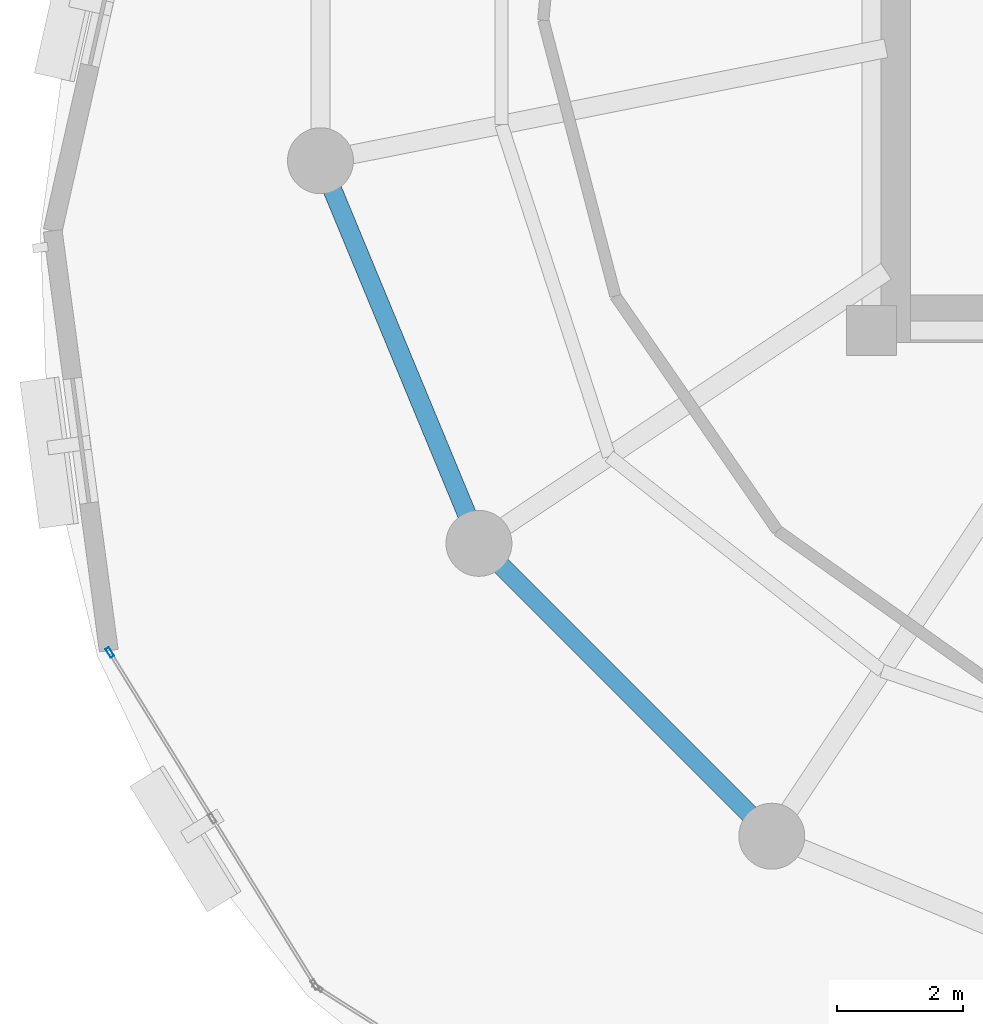
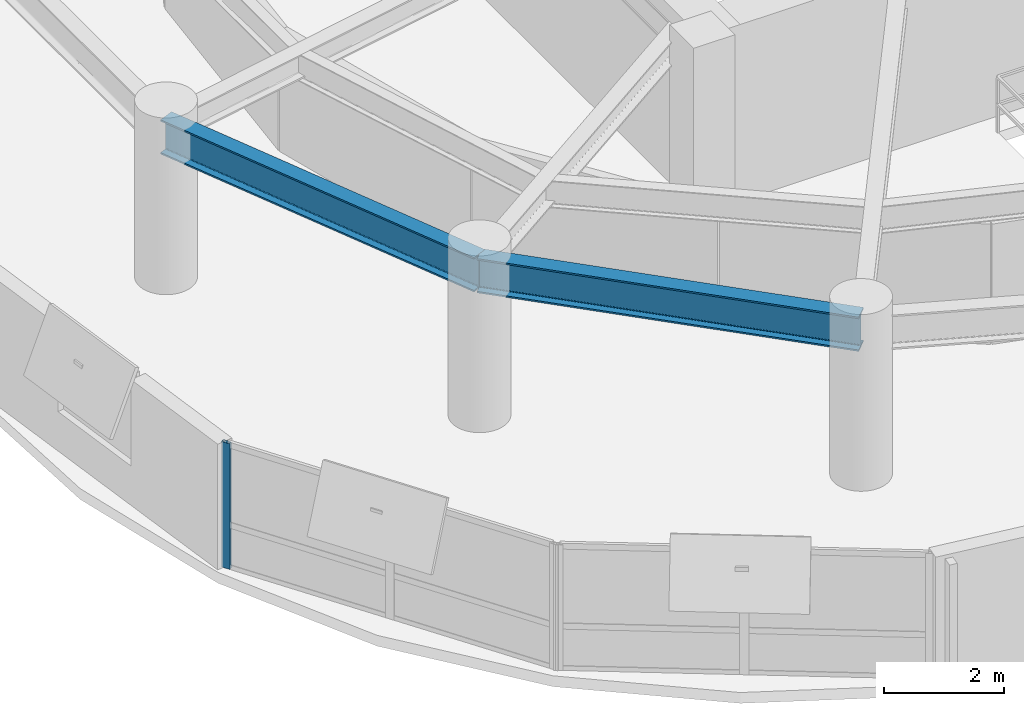
# One storey, part 4 of 12: 2 beams, 1 member, 1 element without a shape of its own.
"""IFC4 building model written with IfcOpenShell, lengths in metres."""

from ifc_helpers import new_model, si_unit, direction, frame, origin, origin_2d, place, context, subcontext, project, spatial, hollow_rectangle, i_section, extrude, material, layer, layer_set, material_profile, profile_set, type_object, element, aggregate, save


model = new_model("IFC4")

# Units and contexts
model_context = context("Model", 3, precision=1e-05, world=origin(), true_north=direction((0.0, 1.0)))
body_context = subcontext(model_context, "Body", "Model", "MODEL_VIEW")
ifc_project = project(units=[si_unit("LENGTHUNIT", "METRE"), si_unit("AREAUNIT", "SQUARE_METRE"), si_unit("VOLUMEUNIT", "CUBIC_METRE"), si_unit("PLANEANGLEUNIT", "RADIAN"), si_unit("MASSUNIT", "GRAM", prefix="KILO"), si_unit("THERMODYNAMICTEMPERATUREUNIT", "KELVIN"), si_unit("POWERUNIT", "WATT")], contexts=[model_context])

# Site, building, storey
site_placement = place(None, origin())
site = spatial("IfcSite", under=ifc_project, at=site_placement, CompositionType="ELEMENT")
building_placement = place(site_placement, origin())
building = spatial("IfcBuilding", under=site, at=building_placement, Name="Ocrelia Relay Tower", CompositionType="ELEMENT")
storey_placement = place(building_placement, frame((0.0, 0.0, 216.800048828125)))
storey = spatial("IfcBuildingStorey", under=building, at=storey_placement, Name="L53", CompositionType="ELEMENT", Elevation=216.800048828125)

# Beams
ifc_material_1 = material(Name="Steel S355", Category="steel")
ifc_material_profile_1 = material_profile(ifc_material_1, i_section(OverallWidth=0.300048828125, OverallDepth=0.699951171875, WebThickness=0.01708984375, FlangeThickness=0.031982421875, FilletRadius=0.027099609375, at=origin_2d()), Name="HEB 700")
ifc_profile_set_1 = profile_set([ifc_material_profile_1], Name="Steel S355")
beam_type = type_object("IfcBeamType", Name="BM-HEB700", PredefinedType="BEAM", material=ifc_profile_set_1)
for number, where, z_axis, x_axis, name in (
    (1, (17.4248046875, 22.702880859375, 2.929931640625), (0.382687508402, -0.923877844151, 0.0), (0.923877844151, 0.382687508402, 0.0), "L53 Perimeter Spandrel Beam S09"),
    (2, (19.9482421875, 16.61083984375, 2.929931640625), (0.707106781187, -0.707106781187, 0.0), (0.707106781187, 0.707106781187, 0.0), "L53 Perimeter Spandrel Beam S10"),
):
    element("IfcBeam", number, at=place(storey_placement, frame(where, z_axis=z_axis, x_axis=x_axis)), inside=storey, type_object=beam_type, Name=name, PredefinedType="BEAM", context=body_context, shape_type="SweptSolid", body=[
        extrude(i_section(OverallWidth=0.300048828125, OverallDepth=0.699951171875, WebThickness=0.01708984375, FlangeThickness=0.031982421875, FilletRadius=0.027099609375, at=origin_2d()), origin(), (0.0, 0.0, 1.0), 6.593994140625),
    ])

# Curtain wall, member
ifc_material_2 = material(Name="Aluminium and solar-control low-E glass", Category="aluminium")
ifc_layer = layer(ifc_material_2, 0.179931640625, Name="Aluminium and solar-control low-E glass")
ifc_layer_set = layer_set([ifc_layer], Name="Aluminium and solar-control low-E glass")
curtain_wall_type = type_object("IfcCurtainWallType", Name="CW-SYS-Z3-CLOU", PredefinedType="NOTDEFINED", material=ifc_layer_set)
curtain_wall_placement = place(storey_placement, origin())
curtain_wall = element("IfcCurtainWall", 3, at=curtain_wall_placement, inside=storey, type_object=curtain_wall_type, Name="L53 Elliptical Tower Curtain Wall Bay 09", PredefinedType="NOTDEFINED")
ifc_material_3 = material(Name="Anodised bronze aluminium", Category="aluminium")
ifc_material_profile_2 = material_profile(ifc_material_3, hollow_rectangle(XDim=0.06494140625, YDim=0.159912109375, WallThickness=0.0048828125, at=origin_2d()), Name="CW-MUL-160x65")
ifc_profile_set_2 = profile_set([ifc_material_profile_2], Name="Anodised bronze aluminium")
member_type = type_object("IfcMemberType", Name="CW-SYS-Z3-CLOU-MUL", PredefinedType="MULLION", material=ifc_profile_set_2)
member_placement = place(storey_placement, frame((14.071533203125, 14.87451171875, 0.0), z_axis=(0.0, 0.0, 1.0), x_axis=(0.851091096154, 0.525018043545, 0.0)))
member = element("IfcMember", 4, at=member_placement, type_object=member_type, Name="CW-Z3 mullion 1", PredefinedType="MULLION", context=body_context, shape_type="SweptSolid", body=[
    extrude(hollow_rectangle(XDim=0.06494140625, YDim=0.159912109375, WallThickness=0.0048828125, at=origin_2d()), origin(), (0.0, 0.0, 1.0), 2.56005859375),
])
aggregate(curtain_wall, [member])

save(model, "model.ifc")
